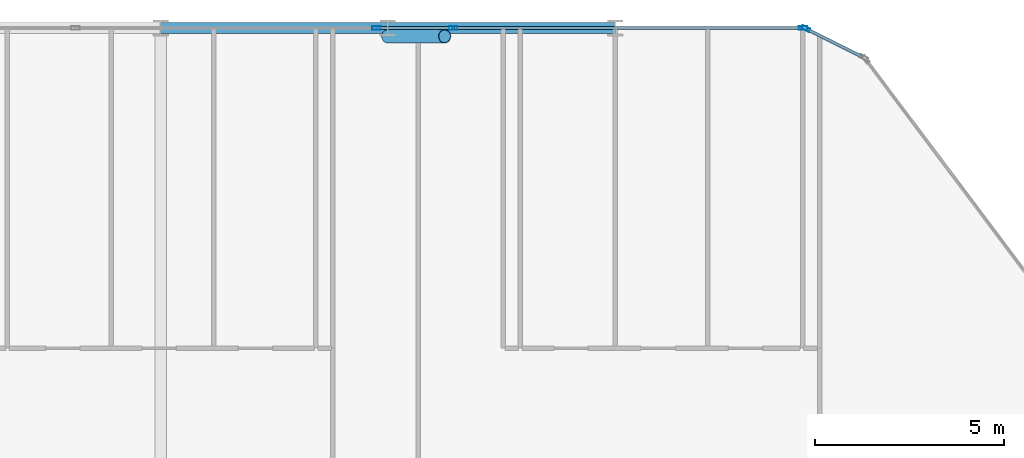
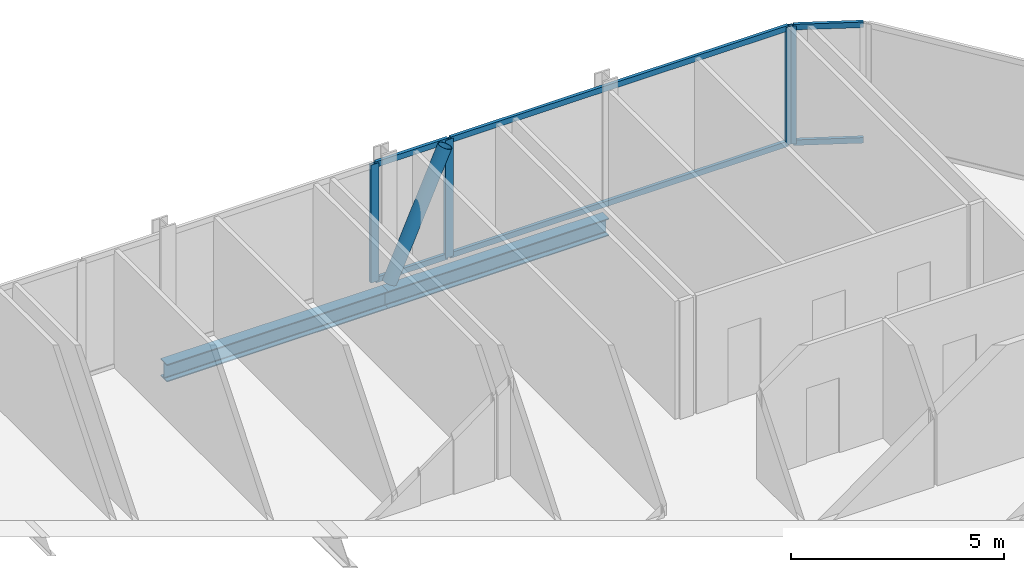
# One storey, part 16 of 33: 11 members, 2 beams, 4 elements without a shape of their own.
"""IFC4 building model written with IfcOpenShell, lengths in metres."""

from ifc_helpers import new_model, si_unit, direction, frame, origin, origin_2d, place, context, subcontext, project, spatial, hollow_rectangle, hollow_circle, i_section, extrude, material, layer, layer_set, material_profile, profile_set, type_object, element, aggregate, save


model = new_model("IFC4")

# Units and contexts
model_context = context("Model", 3, precision=1e-05, world=origin(), true_north=direction((0.0, 1.0)))
body_context = subcontext(model_context, "Body", "Model", "MODEL_VIEW")
ifc_project = project(units=[si_unit("LENGTHUNIT", "METRE"), si_unit("AREAUNIT", "SQUARE_METRE"), si_unit("VOLUMEUNIT", "CUBIC_METRE"), si_unit("PLANEANGLEUNIT", "RADIAN"), si_unit("MASSUNIT", "GRAM", prefix="KILO")], contexts=[model_context])

# Site, building, storey
site_placement = place(None, origin())
site = spatial("IfcSite", under=ifc_project, at=site_placement, CompositionType="ELEMENT")
building_placement = place(site_placement, origin())
building = spatial("IfcBuilding", under=site, at=building_placement, Name="Keshet Zoharim Tower", CompositionType="ELEMENT")
storey_placement = place(building_placement, frame((0.0, 0.0, 27.699951171875)))
storey = spatial("IfcBuildingStorey", under=building, at=storey_placement, Name="L05", CompositionType="ELEMENT", Elevation=27.699951171875)

# Beams
ifc_material_1 = material(Name="Steel S355", Category="steel")
ifc_material_profile_1 = material_profile(ifc_material_1, i_section(OverallWidth=0.300048828125, OverallDepth=0.5, WebThickness=0.014404296875, FlangeThickness=0.028076171875, FilletRadius=0.027099609375, at=origin_2d()), Name="HEB500")
ifc_profile_set_1 = profile_set([ifc_material_profile_1], Name="Steel S355")
beam_type = type_object("IfcBeamType", Name="BM-WEB-HB500", PredefinedType="BEAM", material=ifc_profile_set_1)
for number, where, z_axis, x_axis, name in (
    (1, (33.0, 53.89990234375, -0.56494140625), (1.0, 0.0, 0.0), (0.0, 1.0, 0.0), "L05 Primary Girder X-031"),
    (2, (39.0, 53.89990234375, -0.56494140625), (1.0, 0.0, 0.0), (0.0, 1.0, 0.0), "L05 Primary Girder X-032"),
):
    element("IfcBeam", number, at=place(storey_placement, frame(where, z_axis=z_axis, x_axis=x_axis)), inside=storey, type_object=beam_type, Name=name, PredefinedType="BEAM", context=body_context, shape_type="SweptSolid", body=[
        extrude(i_section(OverallWidth=0.300048828125, OverallDepth=0.5, WebThickness=0.014404296875, FlangeThickness=0.028076171875, FilletRadius=0.027099609375, at=origin_2d()), origin(), (0.0, 0.0, 1.0), 6.0),
    ])

# Curtain wall, member
ifc_material_2 = material(Name="Aluminium 6063-T6", Category="aluminium")
ifc_layer = layer(ifc_material_2, 0.169921875)
ifc_layer_set = layer_set([ifc_layer], Name="Aluminium 6063-T6")
curtain_wall_type = type_object("IfcCurtainWallType", Name="CW-SYS-02", PredefinedType="NOTDEFINED", material=ifc_layer_set)
curtain_wall_1_placement = place(storey_placement, origin())
curtain_wall_1 = element("IfcCurtainWall", 3, at=curtain_wall_1_placement, inside=storey, type_object=curtain_wall_type, Name="L05 Unitised Curtain Wall 07 Part 3", PredefinedType="NOTDEFINED")
ifc_material_profile_2 = material_profile(ifc_material_2, hollow_rectangle(XDim=0.090087890625, YDim=0.219970703125, WallThickness=0.0048828125, at=origin_2d()), Name="MUL-90x220")
ifc_profile_set_2 = profile_set([ifc_material_profile_2], Name="Aluminium 6063-T6")
member_type_1 = type_object("IfcMemberType", Name="CWM-M22", PredefinedType="MULLION", material=ifc_profile_set_2)
member_1_placement = place(storey_placement, frame((38.702392578125, 53.89990234375, 0.0), z_axis=(0.0, 0.0, 1.0), x_axis=(0.0, 1.0, 0.0)))
member_1 = element("IfcMember", 4, at=member_1_placement, type_object=member_type_1, Name="CW-02 mullion 3", PredefinedType="MULLION", context=body_context, shape_type="SweptSolid", body=[
    extrude(hollow_rectangle(XDim=0.090087890625, YDim=0.219970703125, WallThickness=0.0048828125, at=origin_2d()), origin(), (0.0, 0.0, 1.0), 3.385009765625),
])
aggregate(curtain_wall_1, [member_1])

curtain_wall_2_placement = place(storey_placement, origin())
curtain_wall_2 = element("IfcCurtainWall", 5, at=curtain_wall_2_placement, inside=storey, type_object=curtain_wall_type, Name="L05 Unitised Curtain Wall 07 Part 4", PredefinedType="NOTDEFINED")
member_2_placement = place(storey_placement, frame((40.7275390625, 53.89990234375, 0.0), z_axis=(0.0, 0.0, 1.0), x_axis=(0.0, 1.0, 0.0)))
member_2 = element("IfcMember", 6, at=member_2_placement, type_object=member_type_1, Name="CW-02 mullion 2", PredefinedType="MULLION", context=body_context, shape_type="SweptSolid", body=[
    extrude(hollow_rectangle(XDim=0.090087890625, YDim=0.219970703125, WallThickness=0.0048828125, at=origin_2d()), origin(), (0.0, 0.0, 1.0), 3.385009765625),
])

curtain_wall_3_placement = place(storey_placement, origin())
curtain_wall_3 = element("IfcCurtainWall", 7, at=curtain_wall_3_placement, inside=storey, type_object=curtain_wall_type, Name="L05 Unitised Curtain Wall 07 Part 5", PredefinedType="NOTDEFINED")
member_3_placement = place(storey_placement, frame((49.965087890625, 53.89990234375, 0.0), z_axis=(0.0, 0.0, 1.0), x_axis=(0.0, 1.0, 0.0)))
member_3 = element("IfcMember", 8, at=member_3_placement, type_object=member_type_1, Name="CW-02 mullion 2", PredefinedType="MULLION", context=body_context, shape_type="SweptSolid", body=[
    extrude(hollow_rectangle(XDim=0.090087890625, YDim=0.219970703125, WallThickness=0.0048828125, at=origin_2d()), origin(), (0.0, 0.0, 1.0), 3.385009765625),
])

curtain_wall_4_placement = place(storey_placement, origin())
curtain_wall_4 = element("IfcCurtainWall", 9, at=curtain_wall_4_placement, inside=storey, type_object=curtain_wall_type, Name="L05 Unitised Curtain Wall 08", PredefinedType="NOTDEFINED")
member_4_placement = place(storey_placement, frame((50.03125, 53.88427734375, 0.0), z_axis=(0.0, 0.0, 1.0), x_axis=(0.447213595499, 0.894427191001, 0.0)))
member_4 = element("IfcMember", 10, at=member_4_placement, type_object=member_type_1, Name="CW-02 mullion 1", PredefinedType="MULLION", context=body_context, shape_type="SweptSolid", body=[
    extrude(hollow_rectangle(XDim=0.090087890625, YDim=0.219970703125, WallThickness=0.0048828125, at=origin_2d()), origin(), (0.0, 0.0, 1.0), 3.385009765625),
])

# Member
ifc_material_profile_3 = material_profile(ifc_material_2, hollow_rectangle(XDim=0.0849609375, YDim=0.159912109375, WallThickness=0.00439453125, at=origin_2d()), Name="TRN-85x160")
ifc_profile_set_3 = profile_set([ifc_material_profile_3], Name="Aluminium 6063-T6")
member_type_2 = type_object("IfcMemberType", Name="CWT-T16", PredefinedType="USERDEFINED", material=ifc_profile_set_3)
member_5_placement = place(storey_placement, frame((38.7373046875, 53.89990234375, 0.03515625), z_axis=(1.0, 0.0, 0.0), x_axis=(0.0, 1.0, 0.0)))
member_5 = element("IfcMember", 11, at=member_5_placement, type_object=member_type_2, Name="CW-02 transom 1.1", ObjectType="TRANSOM", PredefinedType="USERDEFINED", context=body_context, shape_type="SweptSolid", body=[
    extrude(hollow_rectangle(XDim=0.0849609375, YDim=0.159912109375, WallThickness=0.00439453125, at=origin_2d()), origin(), (0.0, 0.0, 1.0), 1.955322265625),
])

member_6_placement = place(storey_placement, frame((38.7373046875, 53.89990234375, 3.35009765625), z_axis=(1.0, 0.0, 0.0), x_axis=(0.0, 1.0, 0.0)))
member_6 = element("IfcMember", 12, at=member_6_placement, type_object=member_type_2, Name="CW-02 transom 1.2", ObjectType="TRANSOM", PredefinedType="USERDEFINED", context=body_context, shape_type="SweptSolid", body=[
    extrude(hollow_rectangle(XDim=0.0849609375, YDim=0.159912109375, WallThickness=0.00439453125, at=origin_2d()), origin(), (0.0, 0.0, 1.0), 1.955322265625),
])

aggregate(curtain_wall_2, [member_2, member_5, member_6])

member_7_placement = place(storey_placement, frame((40.7626953125, 53.89990234375, 0.03515625), z_axis=(1.0, 0.0, 0.0), x_axis=(0.0, 1.0, 0.0)))
member_7 = element("IfcMember", 13, at=member_7_placement, type_object=member_type_2, Name="CW-02 transom 1.1", ObjectType="TRANSOM", PredefinedType="USERDEFINED", context=body_context, shape_type="SweptSolid", body=[
    extrude(hollow_rectangle(XDim=0.0849609375, YDim=0.159912109375, WallThickness=0.00439453125, at=origin_2d()), origin(), (0.0, 0.0, 1.0), 9.167236328125),
])

member_8_placement = place(storey_placement, frame((40.7626953125, 53.89990234375, 3.35009765625), z_axis=(1.0, 0.0, 0.0), x_axis=(0.0, 1.0, 0.0)))
member_8 = element("IfcMember", 14, at=member_8_placement, type_object=member_type_2, Name="CW-02 transom 1.2", ObjectType="TRANSOM", PredefinedType="USERDEFINED", context=body_context, shape_type="SweptSolid", body=[
    extrude(hollow_rectangle(XDim=0.0849609375, YDim=0.159912109375, WallThickness=0.00439453125, at=origin_2d()), origin(), (0.0, 0.0, 1.0), 9.167236328125),
])

aggregate(curtain_wall_3, [member_3, member_7, member_8])

member_9_placement = place(storey_placement, frame((50.0625, 53.86865234375, 0.03515625), z_axis=(0.894456801911, -0.447154368775, 0.0), x_axis=(0.447154368775, 0.894456801911, 0.0)))
member_9 = element("IfcMember", 15, at=member_9_placement, type_object=member_type_2, Name="CW-02 transom 1.1", ObjectType="TRANSOM", PredefinedType="USERDEFINED", context=body_context, shape_type="SweptSolid", body=[
    extrude(hollow_rectangle(XDim=0.0849609375, YDim=0.159912109375, WallThickness=0.00439453125, at=origin_2d()), origin(), (0.0, 0.0, 1.0), 1.64892578125),
])

member_10_placement = place(storey_placement, frame((50.0625, 53.86865234375, 3.35009765625), z_axis=(0.894456801911, -0.447154368775, 0.0), x_axis=(0.447154368775, 0.894456801911, 0.0)))
member_10 = element("IfcMember", 16, at=member_10_placement, type_object=member_type_2, Name="CW-02 transom 1.2", ObjectType="TRANSOM", PredefinedType="USERDEFINED", context=body_context, shape_type="SweptSolid", body=[
    extrude(hollow_rectangle(XDim=0.0849609375, YDim=0.159912109375, WallThickness=0.00439453125, at=origin_2d()), origin(), (0.0, 0.0, 1.0), 1.64892578125),
])

aggregate(curtain_wall_4, [member_4, member_9, member_10])

ifc_material_profile_4 = material_profile(ifc_material_1, hollow_circle(Radius=0.177734375, WallThickness=0.012451171875, at=origin_2d()), Name="CHS355x12.5")
ifc_profile_set_4 = profile_set([ifc_material_profile_4], Name="Steel S355")
member_type_3 = type_object("IfcMemberType", Name="MB-BR-C355", PredefinedType="BRACE", material=ifc_profile_set_4)
member_11_placement = place(storey_placement, frame((39.0, 53.679931640625, 0.0), z_axis=(0.405134846829, 0.0, 0.91425694194), x_axis=(0.0, 1.0, 0.0)))
element("IfcMember", 17, at=member_11_placement, inside=storey, type_object=member_type_3, Name="L05 Perimeter Tube Brace 04", PredefinedType="BRACE", context=body_context, shape_type="SweptSolid", body=[
    extrude(hollow_circle(Radius=0.177734375, WallThickness=0.012451171875, at=origin_2d()), origin(), (0.0, 0.0, 1.0), 3.702392578125),
])

save(model, "model.ifc")
